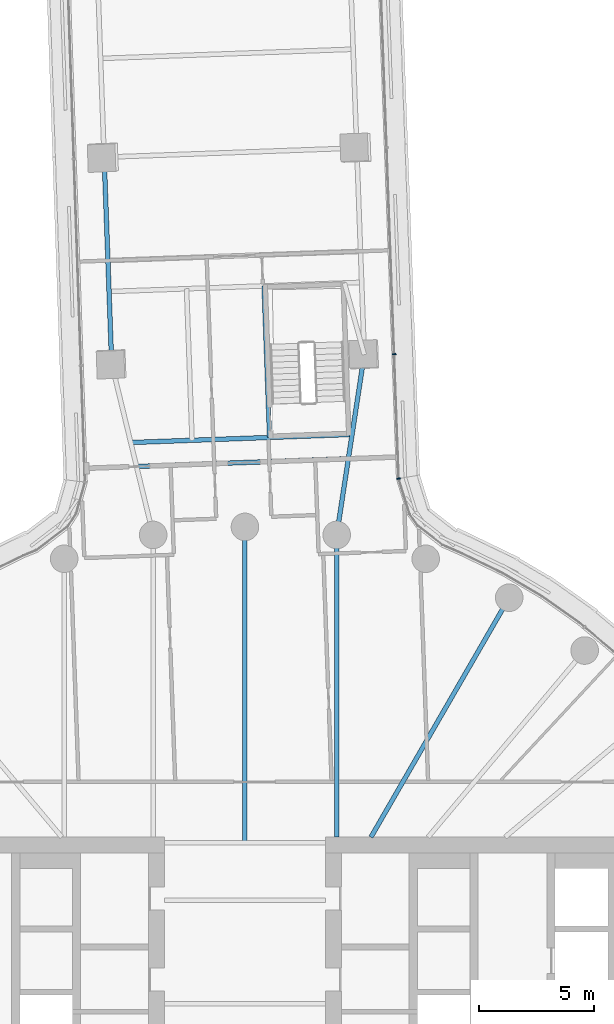
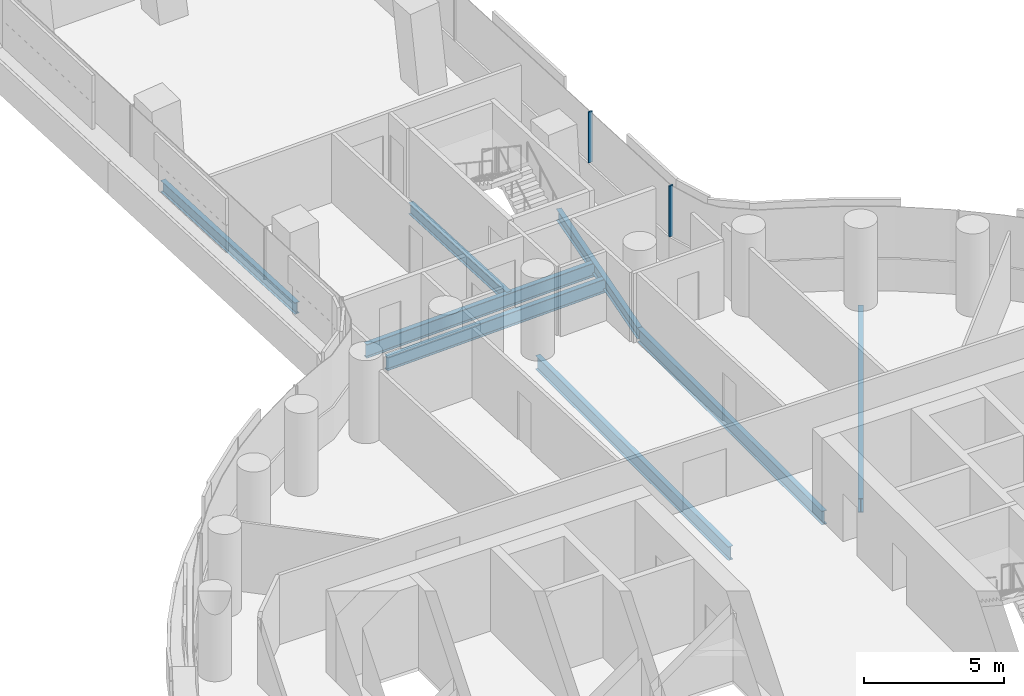
# One storey, part 14 of 31: 8 beams, 2 members, 1 element without a shape of its own.
"""IFC4 building model written with IfcOpenShell, lengths in metres."""

import ifcopenshell
import ifcopenshell.guid

model = None  # the IFC model being written
_history = None  # IfcOwnerHistory: only IFC2X3 demands one
_inside = {}  # id of a spatial element -> (the spatial element, [elements in it])
_under = {}  # id of a project, library or spatial element -> (it, [spatial elements below it])
_declared = {}  # id of a project -> (the project, [libraries it declares])
_typed = {}  # id of a type object -> (the type object, [elements of that type])
_made_of = {}  # id of a material, layer set ... -> (it, [elements and type objects made of it])


def new_model(schema):
    """Start an empty IFC model of exactly this schema.

    Asked for "IFC4X3", IfcOpenShell would pick the latest addendum, in which some entities
    have other attributes; the version numbers below select the first issue.
    IFC2X3 requires an IfcOwnerHistory on every rooted entity: one is made here for all.
    """
    global model, _history
    if schema == "IFC4X3":
        model = ifcopenshell.file(schema_version=(4, 3, 0, 0))
    else:
        model = ifcopenshell.file(schema=schema)
    _inside.clear()
    _under.clear()
    _declared.clear()
    _typed.clear()
    _made_of.clear()
    _history = None
    if model.schema == "IFC2X3":
        org = make("IfcOrganization", Name="unknown")
        user = make(
            "IfcPersonAndOrganization",
            ThePerson=make("IfcPerson", FamilyName="unknown"),
            TheOrganization=org,
        )
        app = make(
            "IfcApplication",
            ApplicationDeveloper=org,
            Version="unknown",
            ApplicationFullName="unknown",
            ApplicationIdentifier="unknown",
        )
        _history = make(
            "IfcOwnerHistory",
            OwningUser=user,
            OwningApplication=app,
            ChangeAction="ADDED",
            CreationDate=0,
        )
    return model


def make(cls, **values):
    """One entity of the class cls with the attributes given. An attribute that is None is left unset."""
    return model.create_entity(
        cls, **{name: value for name, value in values.items() if value is not None}
    )


def rooted(cls, **values):
    """An entity with a GlobalId (a new one), such as an element, a storey or a relation."""
    return make(cls, GlobalId=ifcopenshell.guid.new(), OwnerHistory=_history, **values)


def si_unit(unit_type, name, prefix=None):
    """IfcSIUnit, for example si_unit("LENGTHUNIT", "METRE", prefix="MILLI")."""
    return make("IfcSIUnit", UnitType=unit_type, Prefix=prefix, Name=name)


def assignment(units):
    """IfcUnitAssignment: the units of a project."""
    return None if units is None else make("IfcUnitAssignment", Units=units)


def point(xyz):
    """IfcCartesianPoint."""
    return None if xyz is None else make("IfcCartesianPoint", Coordinates=xyz)


def direction(xyz):
    """IfcDirection."""
    return None if xyz is None else make("IfcDirection", DirectionRatios=xyz)


def frame(location, z_axis=None, x_axis=None):
    """IfcAxis2Placement3D, a coordinate frame: its origin and axes. An axis left out is left unset."""
    return make(
        "IfcAxis2Placement3D",
        Location=point(location),
        Axis=direction(z_axis),
        RefDirection=direction(x_axis),
    )


def frame_2d(location, x_axis=None):
    """IfcAxis2Placement2D, a coordinate frame in the plane: its origin and x axis."""
    return make(
        "IfcAxis2Placement2D", Location=point(location), RefDirection=direction(x_axis)
    )


def origin():
    """The frame at (0, 0, 0) with its axes left unset."""
    return frame((0.0, 0.0, 0.0))


def origin_2d():
    """The frame at (0, 0) in the plane with its x axis left unset."""
    return frame_2d((0.0, 0.0))


def place(relative_to, where):
    """IfcLocalPlacement: puts the frame where relative to a parent placement (None: the world)."""
    return make(
        "IfcLocalPlacement", PlacementRelTo=relative_to, RelativePlacement=where
    )


def context(
    kind, dimensions, precision=None, world=None, true_north=None, identifier=None
):
    """IfcGeometricRepresentationContext, for example the 3D "Model" context."""
    return make(
        "IfcGeometricRepresentationContext",
        ContextIdentifier=identifier,
        ContextType=kind,
        CoordinateSpaceDimension=dimensions,
        Precision=precision,
        WorldCoordinateSystem=world,
        TrueNorth=true_north,
    )


def subcontext(parent, identifier, kind, view, scale=None):
    """IfcGeometricRepresentationSubContext, for example "Body" below "Model"."""
    return make(
        "IfcGeometricRepresentationSubContext",
        ContextIdentifier=identifier,
        ContextType=kind,
        ParentContext=parent,
        TargetScale=scale,
        TargetView=view,
    )


def project(units=None, contexts=None):
    """IfcProject with its units and contexts."""
    return rooted(
        "IfcProject",
        Name="project",
        RepresentationContexts=contexts,
        UnitsInContext=assignment(units),
    )


def spatial(cls, under=None, at=None, **own):
    """A site, building, storey or space (cls), placed at a placement, below another one or the project."""
    s = rooted(cls, ObjectPlacement=at, **own)
    if under is not None:
        _under.setdefault(under.id(), (under, []))[1].append(s)
    return s


def profile(cls, at=None, kind="AREA", **sizes):
    """A parametric profile (cls). Its sizes go by their IFC names, for example OverallWidth=200.0."""
    return make(cls, ProfileType=kind, Position=at, **sizes)


def rectangle(**sizes):
    """IfcRectangleProfileDef."""
    return profile("IfcRectangleProfileDef", **sizes)


def i_section(**sizes):
    """IfcIShapeProfileDef."""
    return profile("IfcIShapeProfileDef", **sizes)


def extrude(swept, where, along, depth):
    """IfcExtrudedAreaSolid: the profile swept, set in the frame where, extruded along a direction by depth."""
    return make(
        "IfcExtrudedAreaSolid",
        SweptArea=swept,
        Position=where,
        ExtrudedDirection=direction(along),
        Depth=depth,
    )


def shape(context_of_items, identifier, shape_type, items):
    """IfcShapeRepresentation: the items that make up one representation, for example the "Body"."""
    return make(
        "IfcShapeRepresentation",
        ContextOfItems=context_of_items,
        RepresentationIdentifier=identifier,
        RepresentationType=shape_type,
        Items=items,
    )


def material(Name=None, Category=None):
    """IfcMaterial."""
    return make("IfcMaterial", Name=Name, Category=Category)


def layer(
    of_material, thickness, ventilated=None, Name=None, Category=None, Priority=None
):
    """IfcMaterialLayer: one layer of a wall or slab, of a material (None: an air gap)."""
    return make(
        "IfcMaterialLayer",
        Material=of_material,
        LayerThickness=thickness,
        IsVentilated=ventilated,
        Name=Name,
        Category=Category,
        Priority=Priority,
    )


def layer_set(layers, Name=None):
    """IfcMaterialLayerSet."""
    return make("IfcMaterialLayerSet", MaterialLayers=layers, LayerSetName=Name)


def material_profile(
    of_material, cross_section, Name=None, Category=None, Priority=None
):
    """IfcMaterialProfile: a cross section and its material."""
    return make(
        "IfcMaterialProfile",
        Name=Name,
        Material=of_material,
        Profile=cross_section,
        Priority=Priority,
        Category=Category,
    )


def profile_set(profiles, Name=None, composite=None):
    """IfcMaterialProfileSet."""
    return make(
        "IfcMaterialProfileSet",
        Name=Name,
        MaterialProfiles=profiles,
        CompositeProfile=composite,
    )


def made_of(thing, what):
    """Note that an element or type object is made of a material, layer set ...; save() writes the relation."""
    if what is not None:
        _made_of.setdefault(what.id(), (what, []))[1].append(thing)
    return thing


def type_object(cls, material=None, **own):
    """A type object (cls), such as IfcWallType, which elements share."""
    return made_of(rooted(cls, **own), material)


def element(
    cls,
    number,
    at=None,
    inside=None,
    cuts=None,
    type_object=None,
    material=None,
    context=None,
    identifier="Body",
    shape_type=None,
    held_by="IfcProductDefinitionShape",
    body=None,
    shapes=None,
    **own,
):
    """One element of the class cls, such as IfcWall. Its Tag is "e" and its number.

    at: its placement. inside: the storey or other place that contains it. cuts: it is an
    opening in that element (IfcRelVoidsElement). A single representation is given by context,
    identifier, shape_type and body (its items); several are given by shapes. held_by: the class
    of the entity that holds the representations. save() writes the other relations.
    """
    e = rooted(cls, Tag="e%d" % number, ObjectPlacement=at, **own)
    if body is not None:
        shapes = [shape(context, identifier, shape_type, body)]
    if shapes is not None:
        e.Representation = make(held_by, Representations=shapes)
    if inside is not None:
        _inside.setdefault(inside.id(), (inside, []))[1].append(e)
    if cuts is not None:
        rooted(
            "IfcRelVoidsElement", RelatingBuildingElement=cuts, RelatedOpeningElement=e
        )
    if type_object is not None:
        _typed.setdefault(type_object.id(), (type_object, []))[1].append(e)
    return made_of(e, material)


def aggregate(whole, parts):
    """IfcRelAggregates: a whole, such as a stair, and the parts it consists of."""
    return rooted("IfcRelAggregates", RelatingObject=whole, RelatedObjects=parts)


def save(model, path):
    """Write the relations noted so far, then the file.

    IfcRelAggregates (storeys below a building ...), IfcRelContainedInSpatialStructure (elements
    in a storey), IfcRelDefinesByType, IfcRelAssociatesMaterial and IfcRelDeclares: one each for
    every whole, place, type object, material and project.
    """
    for whole, parts in _under.values():
        aggregate(whole, parts)
    for where, things in _inside.values():
        rooted(
            "IfcRelContainedInSpatialStructure",
            RelatedElements=things,
            RelatingStructure=where,
        )
    for kind, things in _typed.values():
        rooted("IfcRelDefinesByType", RelatedObjects=things, RelatingType=kind)
    for what, things in _made_of.values():
        rooted("IfcRelAssociatesMaterial", RelatedObjects=things, RelatingMaterial=what)
    for by, libraries in _declared.values():
        rooted("IfcRelDeclares", RelatingContext=by, RelatedDefinitions=libraries)
    model.write(path)


model = new_model("IFC4")

# Units and contexts
model_context = context("Model", 3, precision=1e-05, world=origin(), true_north=direction((0.0, 1.0)))
body_context = subcontext(model_context, "Body", "Model", "MODEL_VIEW")
ifc_project = project(units=[si_unit("LENGTHUNIT", "METRE"), si_unit("AREAUNIT", "SQUARE_METRE"), si_unit("VOLUMEUNIT", "CUBIC_METRE"), si_unit("PLANEANGLEUNIT", "RADIAN"), si_unit("MASSUNIT", "GRAM", prefix="KILO")], contexts=[model_context])

# Site, building, storey
site_placement = place(None, origin())
site = spatial("IfcSite", under=ifc_project, at=site_placement, CompositionType="ELEMENT")
building_placement = place(site_placement, origin())
building = spatial("IfcBuilding", under=site, at=building_placement, Name="Tamarind Cross Interchange Tower", CompositionType="ELEMENT")
storey_placement = place(building_placement, frame((0.0, 0.0, 41.5)))
storey = spatial("IfcBuildingStorey", under=building, at=storey_placement, Name="L08", CompositionType="ELEMENT", Elevation=41.5)

# Beams
ifc_material_1 = material(Name="Steel Q355B", Category="steel")
ifc_material_profile_1 = material_profile(ifc_material_1, i_section(OverallWidth=0.198974609375, OverallDepth=0.49609375, WebThickness=0.009033203125, FlangeThickness=0.013916015625, FilletRadius=0.012939453125, at=origin_2d()), Name="HN 496x199x9x14")
ifc_profile_set_1 = profile_set([ifc_material_profile_1], Name="Steel Q355B")
beam_type_1 = type_object("IfcBeamType", Name="Composite beam HN 496x199x9x14 Q355B", PredefinedType="BEAM", material=ifc_profile_set_1)
beam_1_placement = place(storey_placement, frame((-6.127197265625, 39.087890625, -0.387939453125), z_axis=(0.036458819457, -0.999335156233, 0.0), x_axis=(0.999335156233, 0.036458819457, 0.0)))
element("IfcBeam", 1, at=beam_1_placement, inside=storey, type_object=beam_type_1, Name="Beam N-edgeep3", PredefinedType="BEAM", context=body_context, shape_type="SweptSolid", body=[
    extrude(i_section(OverallWidth=0.198974609375, OverallDepth=0.49609375, WebThickness=0.009033203125, FlangeThickness=0.013916015625, FilletRadius=0.012939453125, at=origin_2d()), origin(), (0.0, 0.0, 1.0), 9.0),
])
beam_2_placement = place(storey_placement, frame((5.193603515625, 30.4951171875, -0.387939453125), z_axis=(-0.151178635621, -0.988506459327, 0.0), x_axis=(0.988506459327, -0.151178635621, 0.0)))
element("IfcBeam", 2, at=beam_2_placement, inside=storey, type_object=beam_type_1, Name="Beam N-linkem", PredefinedType="BEAM", context=body_context, shape_type="SweptSolid", body=[
    extrude(i_section(OverallWidth=0.198974609375, OverallDepth=0.49609375, WebThickness=0.009033203125, FlangeThickness=0.013916015625, FilletRadius=0.012939453125, at=origin_2d()), origin(), (0.0, 0.0, 1.0), 7.935791015625),
])
beam_3_placement = place(storey_placement, frame((1.072265625, 26.892333984375, -0.387939453125), z_axis=(-0.036435666296, 0.999336000663, 0.0), x_axis=(-0.999336000663, -0.036435666296, 0.0)))
element("IfcBeam", 3, at=beam_3_placement, inside=storey, type_object=beam_type_1, Name="Beam N-tr1", PredefinedType="BEAM", context=body_context, shape_type="SweptSolid", body=[
    extrude(i_section(OverallWidth=0.198974609375, OverallDepth=0.49609375, WebThickness=0.009033203125, FlangeThickness=0.013916015625, FilletRadius=0.012939453125, at=origin_2d()), origin(), (0.0, 0.0, 1.0), 6.60009765625),
])
ifc_material_profile_2 = material_profile(ifc_material_1, i_section(OverallWidth=0.198974609375, OverallDepth=0.595947265625, WebThickness=0.010009765625, FlangeThickness=0.014892578125, FilletRadius=0.012939453125, at=origin_2d()), Name="HN 596x199x10x15")
ifc_profile_set_2 = profile_set([ifc_material_profile_2], Name="Steel Q355B")
beam_type_2 = type_object("IfcBeamType", Name="Composite beam HN 596x199x10x15 Q355B", PredefinedType="BEAM", material=ifc_profile_set_2)
beam_4_placement = place(storey_placement, frame((11.5, 19.918701171875, -0.43798828125), z_axis=(-0.499993565836, -0.866029118519, 0.0), x_axis=(0.866029118519, -0.499993565836, 0.0)))
element("IfcBeam", 4, at=beam_4_placement, inside=storey, type_object=beam_type_2, Name="Beam HH06", PredefinedType="BEAM", context=body_context, shape_type="SweptSolid", body=[
    extrude(i_section(OverallWidth=0.198974609375, OverallDepth=0.595947265625, WebThickness=0.010009765625, FlangeThickness=0.014892578125, FilletRadius=0.012939453125, at=origin_2d()), origin(), (0.0, 0.0, 1.0), 12.030517578125),
])
beam_5_placement = place(storey_placement, frame((3.993896484375, 22.650634765625, -0.43798828125), z_axis=(0.0, -1.0, 0.0), x_axis=(1.0, 0.0, 0.0)))
element("IfcBeam", 5, at=beam_5_placement, inside=storey, type_object=beam_type_2, Name="Beam HH08", PredefinedType="BEAM", context=body_context, shape_type="SweptSolid", body=[
    extrude(i_section(OverallWidth=0.198974609375, OverallDepth=0.595947265625, WebThickness=0.010009765625, FlangeThickness=0.014892578125, FilletRadius=0.012939453125, at=origin_2d()), origin(), (0.0, 0.0, 1.0), 13.150634765625),
])
beam_6_placement = place(storey_placement, frame((0.0, 23.0, -0.43798828125), z_axis=(0.0, -1.0, 0.0), x_axis=(1.0, 0.0, 0.0)))
element("IfcBeam", 6, at=beam_6_placement, inside=storey, type_object=beam_type_2, Name="Beam HH09", PredefinedType="BEAM", context=body_context, shape_type="SweptSolid", body=[
    extrude(i_section(OverallWidth=0.198974609375, OverallDepth=0.595947265625, WebThickness=0.010009765625, FlangeThickness=0.014892578125, FilletRadius=0.012939453125, at=origin_2d()), origin(), (0.0, 0.0, 1.0), 13.75),
])
ifc_material_profile_3 = material_profile(ifc_material_1, i_section(OverallWidth=0.199951171875, OverallDepth=0.60009765625, WebThickness=0.010986328125, FlangeThickness=0.01708984375, FilletRadius=0.012939453125, at=origin_2d()), Name="HN 600x200x11x17")
ifc_profile_set_3 = profile_set([ifc_material_profile_3], Name="Steel Q355B")
beam_type_3 = type_object("IfcBeamType", Name="Composite beam HN 600x200x11x17 Q355B", PredefinedType="BEAM", material=ifc_profile_set_3)
beam_7_placement = place(storey_placement, frame((4.66259765625, 27.0234375, -0.43994140625), z_axis=(-0.999334504296, -0.036476684652, 0.0), x_axis=(0.036476684652, -0.999334504296, 0.0)))
element("IfcBeam", 7, at=beam_7_placement, inside=storey, type_object=beam_type_3, Name="Beam N-x268", PredefinedType="BEAM", context=body_context, shape_type="SweptSolid", body=[
    extrude(i_section(OverallWidth=0.199951171875, OverallDepth=0.60009765625, WebThickness=0.010986328125, FlangeThickness=0.01708984375, FilletRadius=0.012939453125, at=origin_2d()), origin(), (0.0, 0.0, 1.0), 9.637939453125),
])
beam_8_placement = place(storey_placement, frame((4.501220703125, 25.966796875, -0.43994140625), z_axis=(-0.999334630534, -0.036473226001, 0.0), x_axis=(0.036473226001, -0.999334630534, 0.0)))
element("IfcBeam", 8, at=beam_8_placement, inside=storey, type_object=beam_type_3, Name="Beam N-x258", PredefinedType="BEAM", context=body_context, shape_type="SweptSolid", body=[
    extrude(i_section(OverallWidth=0.199951171875, OverallDepth=0.60009765625, WebThickness=0.010986328125, FlangeThickness=0.01708984375, FilletRadius=0.012939453125, at=origin_2d()), origin(), (0.0, 0.0, 1.0), 9.223876953125),
])

# Curtain wall, members
ifc_material_2 = material(Name="Aluminium 6063-T6", Category="aluminium")
ifc_layer = layer(ifc_material_2, 0.159912109375)
ifc_layer_set = layer_set([ifc_layer], Name="Aluminium 6063-T6")
curtain_wall_type = type_object("IfcCurtainWallType", Name="Office curtain wall, 9.0 m bays", PredefinedType="NOTDEFINED", material=ifc_layer_set)
curtain_wall_placement = place(storey_placement, origin())
curtain_wall = element("IfcCurtainWall", 9, at=curtain_wall_placement, inside=storey, type_object=curtain_wall_type, Name="CWS-L08-11", PredefinedType="NOTDEFINED")
ifc_material_profile_4 = material_profile(ifc_material_2, rectangle(XDim=0.06005859375, YDim=0.159912109375, at=origin_2d()), Name="Mullion CW1")
ifc_profile_set_4 = profile_set([ifc_material_profile_4], Name="Aluminium 6063-T6")
member_type = type_object("IfcMemberType", Name="Mullion CW1", PredefinedType="MULLION", material=ifc_profile_set_4)
member_1_placement = place(storey_placement, frame((6.69140625, 25.1025390625, 1.39990234375), z_axis=(0.0, 0.0, 1.0), x_axis=(-0.167649805724, 0.985846612126, 0.0)))
member_1 = element("IfcMember", 10, at=member_1_placement, type_object=member_type, Name="CWM-L08-11-00", PredefinedType="MULLION", context=body_context, shape_type="SweptSolid", body=[
    extrude(rectangle(XDim=0.06005859375, YDim=0.159912109375, at=origin_2d()), origin(), (0.0, 0.0, 1.0), 2.210205078125),
])
member_2_placement = place(storey_placement, frame((6.493896484375, 30.515869140625, 1.39990234375), z_axis=(0.0, 0.0, 1.0), x_axis=(-0.036462315768, 0.999335028671, 0.0)))
member_2 = element("IfcMember", 11, at=member_2_placement, type_object=member_type, Name="CWM-L08-11-01", PredefinedType="MULLION", context=body_context, shape_type="SweptSolid", body=[
    extrude(rectangle(XDim=0.06005859375, YDim=0.159912109375, at=origin_2d()), origin(), (0.0, 0.0, 1.0), 2.210205078125),
])
aggregate(curtain_wall, [member_1, member_2])

save(model, "model.ifc")
